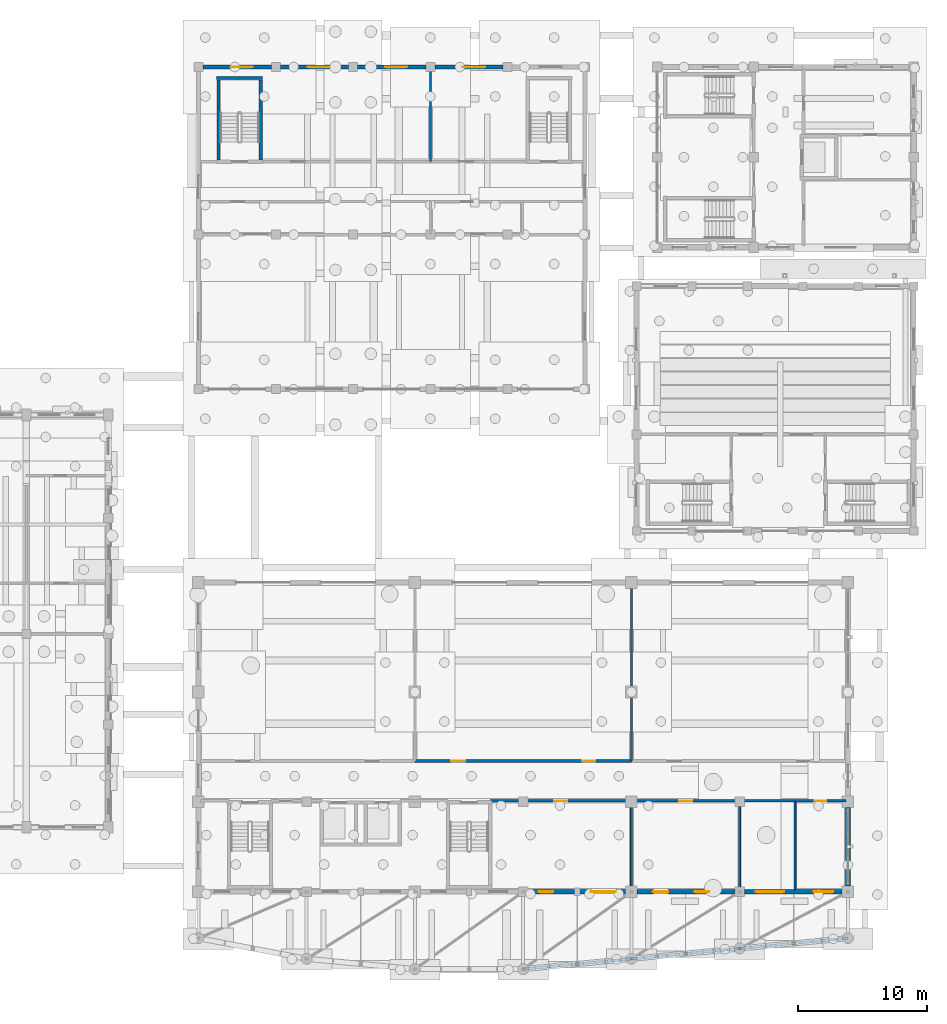
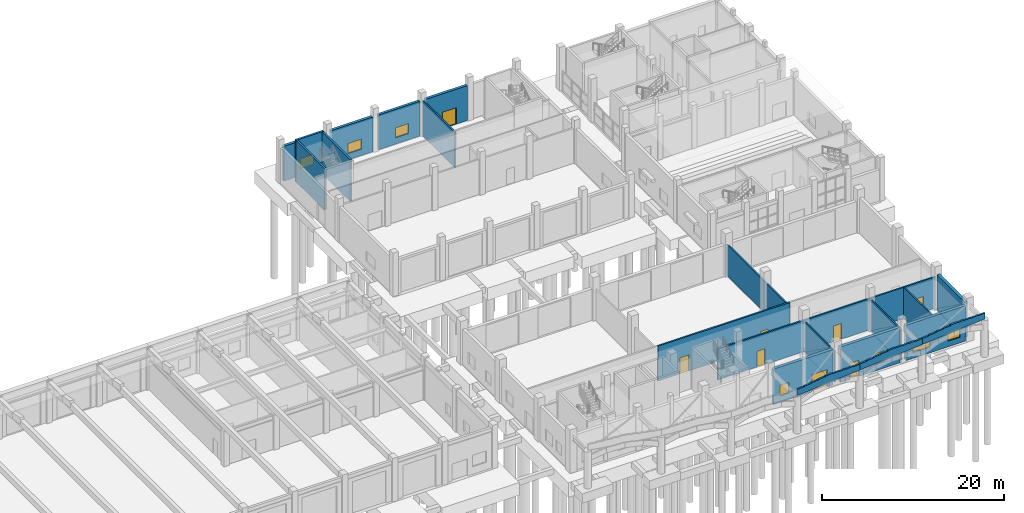
# One storey, part 41 of 60: 24 walls, 8 doors, 7 windows, 15 openings.
"""IFC4 building model written with IfcOpenShell, lengths in metres."""

from ifc_helpers import new_model, si_unit, direction, frame, frame_2d, origin, place, context, subcontext, project, spatial, polyline, rectangle, outline, extrude, material, layer, layer_set, type_object, element, fill, save


model = new_model("IFC4")

# Units and contexts
model_context = context("Model", 3, precision=1e-05, world=origin(), true_north=direction((0.0, 1.0)))
body_context = subcontext(model_context, "Body", "Model", "MODEL_VIEW")
ifc_project = project(units=[si_unit("LENGTHUNIT", "METRE"), si_unit("AREAUNIT", "SQUARE_METRE"), si_unit("VOLUMEUNIT", "CUBIC_METRE"), si_unit("PLANEANGLEUNIT", "RADIAN"), si_unit("MASSUNIT", "GRAM", prefix="KILO")], contexts=[model_context])

# Site, building, storey
site_placement = place(None, origin())
site = spatial("IfcSite", under=ifc_project, at=site_placement, CompositionType="ELEMENT")
building_placement = place(site_placement, origin())
building = spatial("IfcBuilding", under=site, at=building_placement, Name="Trellovar Central Fire Station", CompositionType="ELEMENT")
storey_placement = place(building_placement, origin())
storey = spatial("IfcBuildingStorey", under=building, at=storey_placement, Name="L01", CompositionType="ELEMENT", Elevation=0.0)

# Wall, openings, door, window
ifc_material_1 = material(Name="Catalan polychrome brickwork with insulated cavity", Category="masonry")
ifc_layer_1 = layer(ifc_material_1, 0.3798828125)
ifc_layer_set_1 = layer_set([ifc_layer_1], Name="Catalan polychrome brickwork with insulated cavity")
wall_type_1 = type_object("IfcWallType", Name="EW-2", PredefinedType="STANDARD", material=ifc_layer_set_1)
wall_1_placement = place(storey_placement, frame((131.074951171875, 9.0, 0.0), z_axis=(0.0, 0.0, 1.0), x_axis=(1.0, 0.0, 0.0)))
wall_1 = element("IfcWall", 1, at=wall_1_placement, inside=storey, type_object=wall_type_1, Name="V5 L01 south wall 4", PredefinedType="STANDARD", context=body_context, shape_type="SweptSolid", body=[
    extrude(rectangle(XDim=7.574951171875, YDim=0.3798828125, at=frame_2d((3.78759765625, 0.0))), origin(), (0.0, 0.0, 1.0), 4.75),
])
opening_1_placement = place(wall_1_placement, frame((4.875, 0.0, 0.0)))
opening_1 = element("IfcOpeningElement", 2, at=opening_1_placement, cuts=wall_1, Name="Opening EX-1", PredefinedType="OPENING", context=body_context, shape_type="SweptSolid", body=[
    extrude(rectangle(XDim=1.949951171875, YDim=2.300048828125, at=frame_2d((0.97509765625, 1.14990234375))), frame((0.0, 0.199951171875, 0.0), z_axis=(0.0, -1.0, 0.0), x_axis=(1.0, 0.0, 0.0)), (0.0, 0.0, 1.0), 0.39990234375),
])
opening_2_placement = place(wall_1_placement, frame((0.824951171875, 0.0, 0.85009765625)))
opening_2 = element("IfcOpeningElement", 3, at=opening_2_placement, cuts=wall_1, Name="Opening W-01", PredefinedType="OPENING", context=body_context, shape_type="SweptSolid", body=[
    extrude(rectangle(XDim=1.14990234375, YDim=1.449951171875, at=frame_2d((0.574951171875, 0.72509765625))), frame((0.0, 0.199951171875, 0.0), z_axis=(0.0, -1.0, 0.0), x_axis=(1.0, 0.0, 0.0)), (0.0, 0.0, 1.0), 0.39990234375),
])
ifc_material_2 = material(Name="Thermally broken bronze anodized aluminum", Category="aluminium")
door_type_1 = type_object("IfcDoorType", Name="DR-EXT1", OperationType="DOUBLE_DOOR_SINGLE_SWING", PredefinedType="DOOR", material=ifc_material_2)
door_1_placement = place(opening_1_placement, frame((1.949951171875, 0.0, 0.0), z_axis=(0.0, 0.0, 1.0), x_axis=(-1.0, 0.0, 0.0)))
door_1 = element("IfcDoor", 4, at=door_1_placement, inside=storey, type_object=door_type_1, Name="Civic HQ south boulevard reception entrance", OperationType="DOUBLE_DOOR_SINGLE_SWING", OverallHeight=2.300048828125, OverallWidth=1.949951171875, PredefinedType="DOOR", context=body_context, shape_type="SweptSolid", body=[
    extrude(rectangle(XDim=1.949951171875, YDim=2.300048828125, at=frame_2d((0.97509765625, 1.14990234375))), frame((0.0, 0.02490234375, 0.0), z_axis=(0.0, -1.0, 0.0), x_axis=(1.0, 0.0, 0.0)), (0.0, 0.0, 1.0), 0.050048828125),
])
fill(opening_1, door_1)
ifc_material_3 = material(Name="Thermally broken bronze anodized aluminum", Category="aluminium")
window_type_1 = type_object("IfcWindowType", Name="WIN-01", PartitioningType="SINGLE_PANEL", PredefinedType="WINDOW", material=ifc_material_3)
window_1_placement = place(opening_2_placement, origin())
window_1 = element("IfcWindow", 5, at=window_1_placement, inside=storey, type_object=window_type_1, Name="L01 window W-01", OverallHeight=1.449951171875, OverallWidth=1.14990234375, PartitioningType="SINGLE_PANEL", PredefinedType="WINDOW", context=body_context, shape_type="SweptSolid", body=[
    extrude(rectangle(XDim=1.14990234375, YDim=1.449951171875, at=frame_2d((0.574951171875, 0.72509765625))), frame((0.0, 0.030029296875, 0.0), z_axis=(0.0, -1.0, 0.0), x_axis=(1.0, 0.0, 0.0)), (0.0, 0.0, 1.0), 0.06005859375),
])
fill(opening_2, window_1)

wall_2_placement = place(storey_placement, frame((139.550048828125, 9.0, 0.0), z_axis=(0.0, 0.0, 1.0), x_axis=(1.0, 0.0, 0.0)))
wall_2 = element("IfcWall", 6, at=wall_2_placement, inside=storey, type_object=wall_type_1, Name="V5 L01 south wall 5", PredefinedType="STANDARD", context=body_context, shape_type="SweptSolid", body=[
    extrude(rectangle(XDim=7.574951171875, YDim=0.3798828125, at=frame_2d((3.78759765625, 0.0))), origin(), (0.0, 0.0, 1.0), 4.75),
])
opening_3_placement = place(wall_2_placement, frame((1.25, 0.0, 0.0)))
opening_3 = element("IfcOpeningElement", 7, at=opening_3_placement, cuts=wall_2, Name="Opening EX-5", PredefinedType="OPENING", context=body_context, shape_type="SweptSolid", body=[
    extrude(rectangle(XDim=1.14990234375, YDim=2.14990234375, at=frame_2d((0.574951171875, 1.074951171875))), frame((0.0, 0.199951171875, 0.0), z_axis=(0.0, -1.0, 0.0), x_axis=(1.0, 0.0, 0.0)), (0.0, 0.0, 1.0), 0.39990234375),
])
opening_4_placement = place(wall_2_placement, frame((4.449951171875, 0.0, 0.85009765625)))
opening_4 = element("IfcOpeningElement", 8, at=opening_4_placement, cuts=wall_2, Name="Opening W-01", PredefinedType="OPENING", context=body_context, shape_type="SweptSolid", body=[
    extrude(rectangle(XDim=1.14990234375, YDim=1.449951171875, at=frame_2d((0.574951171875, 0.72509765625))), frame((0.0, 0.199951171875, 0.0), z_axis=(0.0, -1.0, 0.0), x_axis=(1.0, 0.0, 0.0)), (0.0, 0.0, 1.0), 0.39990234375),
])
ifc_material_4 = material(Name="Thermally broken bronze anodized aluminum", Category="aluminium")
door_type_2 = type_object("IfcDoorType", Name="DR-EXT5", OperationType="SINGLE_SWING_RIGHT", PredefinedType="DOOR", material=ifc_material_4)
door_2_placement = place(opening_3_placement, frame((1.14990234375, 0.0, 0.0), z_axis=(0.0, 0.0, 1.0), x_axis=(-1.0, 0.0, 0.0)))
door_2 = element("IfcDoor", 9, at=door_2_placement, inside=storey, type_object=door_type_2, Name="Civic HQ south east entrance", OperationType="SINGLE_SWING_RIGHT", OverallHeight=2.14990234375, OverallWidth=1.14990234375, PredefinedType="DOOR", context=body_context, shape_type="SweptSolid", body=[
    extrude(rectangle(XDim=1.14990234375, YDim=2.14990234375, at=frame_2d((0.574951171875, 1.074951171875))), frame((0.0, 0.02490234375, 0.0), z_axis=(0.0, -1.0, 0.0), x_axis=(1.0, 0.0, 0.0)), (0.0, 0.0, 1.0), 0.050048828125),
])
fill(opening_3, door_2)
window_2_placement = place(opening_4_placement, origin())
window_2 = element("IfcWindow", 10, at=window_2_placement, inside=storey, type_object=window_type_1, Name="L01 window W-01", OverallHeight=1.449951171875, OverallWidth=1.14990234375, PartitioningType="SINGLE_PANEL", PredefinedType="WINDOW", context=body_context, shape_type="SweptSolid", body=[
    extrude(rectangle(XDim=1.14990234375, YDim=1.449951171875, at=frame_2d((0.574951171875, 0.72509765625))), frame((0.0, 0.030029296875, 0.0), z_axis=(0.0, -1.0, 0.0), x_axis=(1.0, 0.0, 0.0)), (0.0, 0.0, 1.0), 0.06005859375),
])
fill(opening_4, window_2)

# Wall, openings, windows
wall_3_placement = place(storey_placement, frame((147.875, 9.0, 0.0), z_axis=(0.0, 0.0, 1.0), x_axis=(1.0, 0.0, 0.0)))
wall_3 = element("IfcWall", 11, at=wall_3_placement, inside=storey, type_object=wall_type_1, Name="V5 L01 south wall 6", PredefinedType="STANDARD", context=body_context, shape_type="SweptSolid", body=[
    extrude(rectangle(XDim=7.574951171875, YDim=0.3798828125, at=frame_2d((3.78759765625, 0.0))), origin(), (0.0, 0.0, 1.0), 4.75),
])
opening_5_placement = place(wall_3_placement, frame((0.875, 0.0, 0.75)))
opening_5 = element("IfcOpeningElement", 12, at=opening_5_placement, cuts=wall_3, Name="Opening W-06", PredefinedType="OPENING", context=body_context, shape_type="SweptSolid", body=[
    extrude(rectangle(XDim=2.199951171875, YDim=1.449951171875, at=frame_2d((1.10009765625, 0.72509765625))), frame((0.0, 0.199951171875, 0.0), z_axis=(0.0, -1.0, 0.0), x_axis=(1.0, 0.0, 0.0)), (0.0, 0.0, 1.0), 0.39990234375),
])
opening_6_placement = place(wall_3_placement, frame((5.375, 0.0, 0.75)))
opening_6 = element("IfcOpeningElement", 13, at=opening_6_placement, cuts=wall_3, Name="Opening W-18", PredefinedType="OPENING", context=body_context, shape_type="SweptSolid", body=[
    extrude(rectangle(XDim=1.5, YDim=1.39990234375, at=frame_2d((0.75, 0.699951171875))), frame((0.0, 0.199951171875, 0.0), z_axis=(0.0, -1.0, 0.0), x_axis=(1.0, 0.0, 0.0)), (0.0, 0.0, 1.0), 0.39990234375),
])
ifc_material_5 = material(Name="Thermally broken bronze anodized aluminum", Category="aluminium")
window_type_2 = type_object("IfcWindowType", Name="WIN-06", PartitioningType="TRIPLE_PANEL_VERTICAL", PredefinedType="WINDOW", material=ifc_material_5)
window_3_placement = place(opening_5_placement, origin())
window_3 = element("IfcWindow", 14, at=window_3_placement, inside=storey, type_object=window_type_2, Name="L01 window W-06", OverallHeight=1.449951171875, OverallWidth=2.199951171875, PartitioningType="TRIPLE_PANEL_VERTICAL", PredefinedType="WINDOW", context=body_context, shape_type="SweptSolid", body=[
    extrude(rectangle(XDim=2.199951171875, YDim=1.449951171875, at=frame_2d((1.10009765625, 0.72509765625))), frame((0.0, 0.030029296875, 0.0), z_axis=(0.0, -1.0, 0.0), x_axis=(1.0, 0.0, 0.0)), (0.0, 0.0, 1.0), 0.06005859375),
])
fill(opening_5, window_3)
ifc_material_6 = material(Name="Thermally broken bronze anodized aluminum", Category="aluminium")
window_type_3 = type_object("IfcWindowType", Name="WIN-18", PartitioningType="DOUBLE_PANEL_VERTICAL", PredefinedType="WINDOW", material=ifc_material_6)
window_4_placement = place(opening_6_placement, origin())
window_4 = element("IfcWindow", 15, at=window_4_placement, inside=storey, type_object=window_type_3, Name="L01 window W-18", OverallHeight=1.39990234375, OverallWidth=1.5, PartitioningType="DOUBLE_PANEL_VERTICAL", PredefinedType="WINDOW", context=body_context, shape_type="SweptSolid", body=[
    extrude(rectangle(XDim=1.5, YDim=1.39990234375, at=frame_2d((0.75, 0.699951171875))), frame((0.0, 0.030029296875, 0.0), z_axis=(0.0, -1.0, 0.0), x_axis=(1.0, 0.0, 0.0)), (0.0, 0.0, 1.0), 0.06005859375),
])
fill(opening_6, window_4)

# Wall
wall_4_placement = place(storey_placement, frame((155.89990234375, 9.449951171875, 0.0), z_axis=(0.0, 0.0, 1.0), x_axis=(0.0, 1.0, 0.0)))
element("IfcWall", 16, at=wall_4_placement, inside=storey, type_object=wall_type_1, Name="V5 L01 east stepback wall", PredefinedType="STANDARD", context=body_context, shape_type="SweptSolid", body=[
    extrude(rectangle(XDim=6.10009765625, YDim=0.3798828125, at=frame_2d((3.050048828125, 0.0))), origin(), (0.0, 0.0, 1.0), 4.75),
])

# Wall, opening, window
ifc_material_7 = material(Name="Textured desert sandstone masonry", Category="masonry")
ifc_layer_2 = layer(ifc_material_7, 0.340087890625)
ifc_layer_set_2 = layer_set([ifc_layer_2], Name="Textured desert sandstone masonry")
wall_type_2 = type_object("IfcWallType", Name="EW-3", PredefinedType="STANDARD", material=ifc_layer_set_2)
wall_5_placement = place(storey_placement, frame((111.14990234375, 73.0, 0.0), z_axis=(0.0, 0.0, 1.0), x_axis=(-1.0, 0.0, 0.0)))
wall_5 = element("IfcWall", 17, at=wall_5_placement, inside=storey, type_object=wall_type_2, Name="V6 L01 north wall 1", PredefinedType="STANDARD", context=body_context, shape_type="SweptSolid", body=[
    extrude(rectangle(XDim=5.2998046875, YDim=0.340087890625, at=frame_2d((2.64990234375, 0.0))), origin(), (0.0, 0.0, 1.0), 4.677978515625),
])
opening_7_placement = place(wall_5_placement, frame((1.449951171875, 0.0, 0.85009765625)))
opening_7 = element("IfcOpeningElement", 18, at=opening_7_placement, cuts=wall_5, Name="Opening W-19", PredefinedType="OPENING", context=body_context, shape_type="SweptSolid", body=[
    extrude(rectangle(XDim=1.699951171875, YDim=1.35009765625, at=frame_2d((0.85009765625, 0.675048828125))), frame((0.0, 0.179931640625, 0.0), z_axis=(0.0, -1.0, 0.0), x_axis=(1.0, 0.0, 0.0)), (0.0, 0.0, 1.0), 0.360107421875),
])
ifc_material_8 = material(Name="Thermally broken bronze anodized aluminum", Category="aluminium")
window_type_4 = type_object("IfcWindowType", Name="WIN-19", PartitioningType="DOUBLE_PANEL_HORIZONTAL", PredefinedType="WINDOW", material=ifc_material_8)
window_5_placement = place(opening_7_placement, origin())
window_5 = element("IfcWindow", 19, at=window_5_placement, inside=storey, type_object=window_type_4, Name="L01 window W-19", OverallHeight=1.35009765625, OverallWidth=1.699951171875, PartitioningType="DOUBLE_PANEL_HORIZONTAL", PredefinedType="WINDOW", context=body_context, shape_type="SweptSolid", body=[
    extrude(rectangle(XDim=1.699951171875, YDim=1.35009765625, at=frame_2d((0.85009765625, 0.675048828125))), frame((0.0, 0.030029296875, 0.0), z_axis=(0.0, -1.0, 0.0), x_axis=(1.0, 0.0, 0.0)), (0.0, 0.0, 1.0), 0.06005859375),
])
fill(opening_7, window_5)

wall_6_placement = place(storey_placement, frame((117.14990234375, 73.0, 0.0), z_axis=(0.0, 0.0, 1.0), x_axis=(-1.0, 0.0, 0.0)))
wall_6 = element("IfcWall", 20, at=wall_6_placement, inside=storey, type_object=wall_type_2, Name="V6 L01 north wall 2", PredefinedType="STANDARD", context=body_context, shape_type="SweptSolid", body=[
    extrude(rectangle(XDim=5.2998046875, YDim=0.340087890625, at=frame_2d((2.64990234375, 0.0))), origin(), (0.0, 0.0, 1.0), 4.677978515625),
])
opening_8_placement = place(wall_6_placement, frame((1.449951171875, 0.0, 0.85009765625)))
opening_8 = element("IfcOpeningElement", 21, at=opening_8_placement, cuts=wall_6, Name="Opening W-19", PredefinedType="OPENING", context=body_context, shape_type="SweptSolid", body=[
    extrude(rectangle(XDim=1.699951171875, YDim=1.35009765625, at=frame_2d((0.85009765625, 0.675048828125))), frame((0.0, 0.179931640625, 0.0), z_axis=(0.0, -1.0, 0.0), x_axis=(1.0, 0.0, 0.0)), (0.0, 0.0, 1.0), 0.360107421875),
])
window_6_placement = place(opening_8_placement, origin())
window_6 = element("IfcWindow", 22, at=window_6_placement, inside=storey, type_object=window_type_4, Name="L01 window W-19", OverallHeight=1.35009765625, OverallWidth=1.699951171875, PartitioningType="DOUBLE_PANEL_HORIZONTAL", PredefinedType="WINDOW", context=body_context, shape_type="SweptSolid", body=[
    extrude(rectangle(XDim=1.699951171875, YDim=1.35009765625, at=frame_2d((0.85009765625, 0.675048828125))), frame((0.0, 0.030029296875, 0.0), z_axis=(0.0, -1.0, 0.0), x_axis=(1.0, 0.0, 0.0)), (0.0, 0.0, 1.0), 0.06005859375),
])
fill(opening_8, window_6)

wall_7_placement = place(storey_placement, frame((123.14990234375, 73.0, 0.0), z_axis=(0.0, 0.0, 1.0), x_axis=(-1.0, 0.0, 0.0)))
wall_7 = element("IfcWall", 23, at=wall_7_placement, inside=storey, type_object=wall_type_2, Name="V6 L01 north wall 3", PredefinedType="STANDARD", context=body_context, shape_type="SweptSolid", body=[
    extrude(rectangle(XDim=5.2998046875, YDim=0.340087890625, at=frame_2d((2.64990234375, 0.0))), origin(), (0.0, 0.0, 1.0), 4.677978515625),
])
opening_9_placement = place(wall_7_placement, frame((1.449951171875, 0.0, 0.85009765625)))
opening_9 = element("IfcOpeningElement", 24, at=opening_9_placement, cuts=wall_7, Name="Opening W-19", PredefinedType="OPENING", context=body_context, shape_type="SweptSolid", body=[
    extrude(rectangle(XDim=1.699951171875, YDim=1.35009765625, at=frame_2d((0.85009765625, 0.675048828125))), frame((0.0, 0.179931640625, 0.0), z_axis=(0.0, -1.0, 0.0), x_axis=(1.0, 0.0, 0.0)), (0.0, 0.0, 1.0), 0.360107421875),
])
window_7_placement = place(opening_9_placement, origin())
window_7 = element("IfcWindow", 25, at=window_7_placement, inside=storey, type_object=window_type_4, Name="L01 window W-19", OverallHeight=1.35009765625, OverallWidth=1.699951171875, PartitioningType="DOUBLE_PANEL_HORIZONTAL", PredefinedType="WINDOW", context=body_context, shape_type="SweptSolid", body=[
    extrude(rectangle(XDim=1.699951171875, YDim=1.35009765625, at=frame_2d((0.85009765625, 0.675048828125))), frame((0.0, 0.030029296875, 0.0), z_axis=(0.0, -1.0, 0.0), x_axis=(1.0, 0.0, 0.0)), (0.0, 0.0, 1.0), 0.06005859375),
])
fill(opening_9, window_7)

# Wall, opening, door
wall_8_placement = place(storey_placement, frame((129.14990234375, 73.0, 0.0), z_axis=(0.0, 0.0, 1.0), x_axis=(-1.0, 0.0, 0.0)))
wall_8 = element("IfcWall", 26, at=wall_8_placement, inside=storey, type_object=wall_type_2, Name="V6 L01 north wall 4", PredefinedType="STANDARD", context=body_context, shape_type="SweptSolid", body=[
    extrude(rectangle(XDim=5.2998046875, YDim=0.340087890625, at=frame_2d((2.64990234375, 0.0))), origin(), (0.0, 0.0, 1.0), 4.677978515625),
])
opening_10_placement = place(wall_8_placement, frame((1.39990234375, 0.0, 0.0)))
opening_10 = element("IfcOpeningElement", 27, at=opening_10_placement, cuts=wall_8, Name="Opening EX-2", PredefinedType="OPENING", context=body_context, shape_type="SweptSolid", body=[
    extrude(rectangle(XDim=1.75, YDim=2.199951171875, at=frame_2d((0.875, 1.10009765625))), frame((0.0, 0.179931640625, 0.0), z_axis=(0.0, -1.0, 0.0), x_axis=(1.0, 0.0, 0.0)), (0.0, 0.0, 1.0), 0.360107421875),
])
ifc_material_9 = material(Name="Hollow galvanized steel with acoustic core", Category="steel")
door_type_3 = type_object("IfcDoorType", Name="DR-EXT2", OperationType="DOUBLE_DOOR_SINGLE_SWING", PredefinedType="DOOR", material=ifc_material_9)
door_3_placement = place(opening_10_placement, frame((1.75, 0.0, 0.0), z_axis=(0.0, 0.0, 1.0), x_axis=(-1.0, 0.0, 0.0)))
door_3 = element("IfcDoor", 28, at=door_3_placement, inside=storey, type_object=door_type_3, Name="Generator plant north service door", OperationType="DOUBLE_DOOR_SINGLE_SWING", OverallHeight=2.199951171875, OverallWidth=1.75, PredefinedType="DOOR", context=body_context, shape_type="SweptSolid", body=[
    extrude(rectangle(XDim=1.75, YDim=2.199951171875, at=frame_2d((0.875, 1.10009765625))), frame((0.0, 0.02490234375, 0.0), z_axis=(0.0, -1.0, 0.0), x_axis=(1.0, 0.0, 0.0)), (0.0, 0.0, 1.0), 0.050048828125),
])
fill(opening_10, door_3)

# Walls
ifc_material_10 = material(Name="Textured desert sandstone masonry", Category="masonry")
ifc_layer_3 = layer(ifc_material_10, 0.2099609375)
ifc_layer_set_3 = layer_set([ifc_layer_3], Name="Textured desert sandstone masonry")
wall_type_3 = type_object("IfcWallType", Name="PAR-3", PredefinedType="PARAPET", material=ifc_layer_set_3)
wall_9_placement = place(storey_placement, frame((130.699951171875, 3.0, 4.949951171875), z_axis=(0.0, 0.0, 1.0), x_axis=(0.995495082479, 0.094813188749, 0.0)))
element("IfcWall", 29, at=wall_9_placement, inside=storey, type_object=wall_type_3, Name="L01 Catalan stepped parapet", PredefinedType="PARAPET", context=body_context, shape_type="SweptSolid", body=[
    extrude(outline(polyline([(0.0, 0.0), (8.438232421875, 0.0), (8.43798828125, 0.800048828125), (7.50146484375, 0.800048828125), (7.50048828125, 0.862548828125), (6.56396484375, 0.862548828125), (6.56298828125, 0.925048828125), (5.626220703125, 0.925048828125), (5.625244140625, 0.987548828125), (4.688720703125, 0.987548828125), (4.687744140625, 1.050048828125), (3.751220703125, 1.050048828125), (3.750244140625, 0.987548828125), (2.813720703125, 0.987548828125), (2.812744140625, 0.925048828125), (1.876220703125, 0.925048828125), (1.875, 0.862548828125), (0.938720703125, 0.862548828125), (0.9375, 0.800048828125), (0.0, 0.800048828125), (0.0, 0.0)])), frame((0.0, 0.10498046875, 0.0), z_axis=(0.0, -1.0, 0.0), x_axis=(1.0, 0.0, 0.0)), (0.0, 0.0, 1.0), 0.2099609375),
])
for number, where, z_axis, x_axis, name in (
    (30, (139.10009765625, 3.800048828125, 4.949951171875), (0.0, 0.0, 1.0), (0.995494822374, 0.094815919692, 0.0), "L01 Catalan stepped parapet"),
    (31, (147.5, 4.60009765625, 4.949951171875), (0.0, 0.0, 1.0), (0.99549755299, 0.094787245934, 0.0), "L01 Catalan stepped parapet"),
):
    element("IfcWall", number, at=place(storey_placement, frame(where, z_axis=z_axis, x_axis=x_axis)), inside=storey, type_object=wall_type_3, Name=name, PredefinedType="PARAPET", context=body_context, shape_type="SweptSolid", body=[
        extrude(outline(polyline([(0.0, 0.0), (8.43798828125, 0.0), (8.43798828125, 0.800048828125), (7.50146484375, 0.800048828125), (7.50048828125, 0.862548828125), (6.56396484375, 0.862548828125), (6.56298828125, 0.925048828125), (5.626220703125, 0.925048828125), (5.625244140625, 0.987548828125), (4.688720703125, 0.987548828125), (4.687744140625, 1.050048828125), (3.751220703125, 1.050048828125), (3.750244140625, 0.987548828125), (2.813720703125, 0.987548828125), (2.812744140625, 0.925048828125), (1.876220703125, 0.925048828125), (1.875, 0.862548828125), (0.938720703125, 0.862548828125), (0.9375, 0.800048828125), (0.0, 0.800048828125), (0.0, 0.0)])), frame((0.0, 0.10498046875, 0.0), z_axis=(0.0, -1.0, 0.0), x_axis=(1.0, 0.0, 0.0)), (0.0, 0.0, 1.0), 0.2099609375),
    ])

# Wall, opening, door
ifc_material_11 = material(Name="Acoustic concrete masonry unit", Category="masonry")
ifc_layer_4 = layer(ifc_material_11, 0.199951171875)
ifc_layer_set_4 = layer_set([ifc_layer_4], Name="Acoustic concrete masonry unit")
wall_type_4 = type_object("IfcWallType", Name="PT-1", PredefinedType="PARTITIONING", material=ifc_layer_set_4)
wall_10_placement = place(storey_placement, frame((128.139892578125, 16.050048828125, 0.0), z_axis=(0.0, 0.0, 1.0), x_axis=(1.0, 0.0, 0.0)))
wall_10 = element("IfcWall", 32, at=wall_10_placement, inside=storey, type_object=wall_type_4, Name="V5 L01 south corridor spine", PredefinedType="PARTITIONING", context=body_context, shape_type="SweptSolid", body=[
    extrude(rectangle(XDim=10.960205078125, YDim=0.199951171875, at=frame_2d((5.47998046875, 0.0))), origin(), (0.0, 0.0, 1.0), 4.18994140625),
])
opening_11_placement = place(wall_10_placement, frame((4.97998046875, 0.0, 0.0)))
opening_11 = element("IfcOpeningElement", 33, at=opening_11_placement, cuts=wall_10, Name="Opening ID-1", PredefinedType="OPENING", context=body_context, shape_type="SweptSolid", body=[
    extrude(rectangle(XDim=1.0, YDim=2.1201171875, at=frame_2d((0.5, 1.06005859375))), frame((0.0, 0.10986328125, 0.0), z_axis=(0.0, -1.0, 0.0), x_axis=(1.0, 0.0, 0.0)), (0.0, 0.0, 1.0), 0.219970703125),
])
ifc_material_12 = material(Name="Solid core acoustic white oak veneer", Category="wood")
door_type_4 = type_object("IfcDoorType", Name="DR-INT1", OperationType="SINGLE_SWING_LEFT", PredefinedType="DOOR", material=ifc_material_12)
door_4_placement = place(opening_11_placement, origin())
door_4 = element("IfcDoor", 34, at=door_4_placement, inside=storey, type_object=door_type_4, Name="V5 L01 south bay door", OperationType="SINGLE_SWING_LEFT", OverallHeight=2.1201171875, OverallWidth=1.0, PredefinedType="DOOR", context=body_context, shape_type="SweptSolid", body=[
    extrude(rectangle(XDim=1.0, YDim=2.1201171875, at=frame_2d((0.5, 1.06005859375))), frame((0.0, 0.02490234375, 0.0), z_axis=(0.0, -1.0, 0.0), x_axis=(1.0, 0.0, 0.0)), (0.0, 0.0, 1.0), 0.050048828125),
])
fill(opening_11, door_4)

wall_11_placement = place(storey_placement, frame((139.10009765625, 16.050048828125, 0.0), z_axis=(0.0, 0.0, 1.0), x_axis=(1.0, 0.0, 0.0)))
wall_11 = element("IfcWall", 35, at=wall_11_placement, inside=storey, type_object=wall_type_4, Name="V5 L01 south corridor spine", PredefinedType="PARTITIONING", context=body_context, shape_type="SweptSolid", body=[
    extrude(rectangle(XDim=8.39990234375, YDim=0.199951171875, at=frame_2d((4.199951171875, 0.0))), origin(), (0.0, 0.0, 1.0), 4.18994140625),
])
opening_12_placement = place(wall_11_placement, frame((3.699951171875, 0.0, 0.0)))
opening_12 = element("IfcOpeningElement", 36, at=opening_12_placement, cuts=wall_11, Name="Opening ID-1", PredefinedType="OPENING", context=body_context, shape_type="SweptSolid", body=[
    extrude(rectangle(XDim=1.0, YDim=2.1201171875, at=frame_2d((0.5, 1.06005859375))), frame((0.0, 0.10986328125, 0.0), z_axis=(0.0, -1.0, 0.0), x_axis=(1.0, 0.0, 0.0)), (0.0, 0.0, 1.0), 0.219970703125),
])
door_5_placement = place(opening_12_placement, origin())
door_5 = element("IfcDoor", 37, at=door_5_placement, inside=storey, type_object=door_type_4, Name="V5 L01 south bay door", OperationType="SINGLE_SWING_RIGHT", OverallHeight=2.1201171875, OverallWidth=1.0, PredefinedType="DOOR", context=body_context, shape_type="SweptSolid", body=[
    extrude(rectangle(XDim=1.0, YDim=2.1201171875, at=frame_2d((0.5, 1.06005859375))), frame((0.0, 0.02490234375, 0.0), z_axis=(0.0, -1.0, 0.0), x_axis=(1.0, 0.0, 0.0)), (0.0, 0.0, 1.0), 0.050048828125),
])
fill(opening_12, door_5)

# Wall
wall_12_placement = place(storey_placement, frame((147.5, 16.050048828125, 0.0), z_axis=(0.0, 0.0, 1.0), x_axis=(1.0, 0.0, 0.0)))
element("IfcWall", 38, at=wall_12_placement, inside=storey, type_object=wall_type_4, Name="V5 L01 south corridor spine", PredefinedType="PARTITIONING", context=body_context, shape_type="SweptSolid", body=[
    extrude(rectangle(XDim=4.300048828125, YDim=0.199951171875, at=frame_2d((2.14990234375, 0.0))), origin(), (0.0, 0.0, 1.0), 4.18994140625),
])

# Wall, opening, door
wall_13_placement = place(storey_placement, frame((151.800048828125, 16.050048828125, 0.0), z_axis=(0.0, 0.0, 1.0), x_axis=(1.0, 0.0, 0.0)))
wall_13 = element("IfcWall", 39, at=wall_13_placement, inside=storey, type_object=wall_type_4, Name="V5 L01 south corridor spine", PredefinedType="PARTITIONING", context=body_context, shape_type="SweptSolid", body=[
    extrude(rectangle(XDim=3.949951171875, YDim=0.199951171875, at=frame_2d((1.97509765625, 0.0))), origin(), (0.0, 0.0, 1.0), 4.18994140625),
])
opening_13_placement = place(wall_13_placement, frame((1.52490234375, 0.0, 0.0)))
opening_13 = element("IfcOpeningElement", 40, at=opening_13_placement, cuts=wall_13, Name="Opening ID-11", PredefinedType="OPENING", context=body_context, shape_type="SweptSolid", body=[
    extrude(rectangle(XDim=0.89990234375, YDim=2.080078125, at=frame_2d((0.449951171875, 1.0400390625))), frame((0.0, 0.10986328125, 0.0), z_axis=(0.0, -1.0, 0.0), x_axis=(1.0, 0.0, 0.0)), (0.0, 0.0, 1.0), 0.219970703125),
])
ifc_material_13 = material(Name="Solid core acoustic white oak veneer", Category="wood")
door_type_5 = type_object("IfcDoorType", Name="DR-INT11", OperationType="SINGLE_SWING_LEFT", PredefinedType="DOOR", material=ifc_material_13)
door_6_placement = place(opening_13_placement, origin())
door_6 = element("IfcDoor", 41, at=door_6_placement, inside=storey, type_object=door_type_5, Name="V5 L01 south bay door", OperationType="SINGLE_SWING_LEFT", OverallHeight=2.080078125, OverallWidth=0.89990234375, PredefinedType="DOOR", context=body_context, shape_type="SweptSolid", body=[
    extrude(rectangle(XDim=0.89990234375, YDim=2.080078125, at=frame_2d((0.449951171875, 1.0400390625))), frame((0.0, 0.02490234375, 0.0), z_axis=(0.0, -1.0, 0.0), x_axis=(1.0, 0.0, 0.0)), (0.0, 0.0, 1.0), 0.050048828125),
])
fill(opening_13, door_6)

# Wall, openings, doors
wall_14_placement = place(storey_placement, frame((122.300048828125, 19.14990234375, 0.0), z_axis=(0.0, 0.0, 1.0), x_axis=(1.0, 0.0, 0.0)))
wall_14 = element("IfcWall", 42, at=wall_14_placement, inside=storey, type_object=wall_type_4, Name="V5 L01 north corridor spine", PredefinedType="PARTITIONING", context=body_context, shape_type="SweptSolid", body=[
    extrude(rectangle(XDim=16.800048828125, YDim=0.199951171875, at=frame_2d((8.39990234375, 0.0))), origin(), (0.0, 0.0, 1.0), 4.699951171875),
])
opening_14_placement = place(wall_14_placement, frame((2.800048828125, 0.0, 0.0)))
opening_14 = element("IfcOpeningElement", 43, at=opening_14_placement, cuts=wall_14, Name="Opening ID-12", PredefinedType="OPENING", context=body_context, shape_type="SweptSolid", body=[
    extrude(rectangle(XDim=1.1201171875, YDim=2.14990234375, at=frame_2d((0.56005859375, 1.074951171875))), frame((0.0, 0.10986328125, 0.0), z_axis=(0.0, -1.0, 0.0), x_axis=(1.0, 0.0, 0.0)), (0.0, 0.0, 1.0), 0.219970703125),
])
opening_15_placement = place(wall_14_placement, frame((13.0, 0.0, 0.0)))
opening_15 = element("IfcOpeningElement", 44, at=opening_15_placement, cuts=wall_14, Name="Opening ID-1", PredefinedType="OPENING", context=body_context, shape_type="SweptSolid", body=[
    extrude(rectangle(XDim=1.0, YDim=2.1201171875, at=frame_2d((0.5, 1.06005859375))), frame((0.0, 0.10986328125, 0.0), z_axis=(0.0, -1.0, 0.0), x_axis=(1.0, 0.0, 0.0)), (0.0, 0.0, 1.0), 0.219970703125),
])
door_7_placement = place(opening_15_placement, origin())
door_7 = element("IfcDoor", 45, at=door_7_placement, inside=storey, type_object=door_type_4, Name="V5 L01 north secondary egress door", OperationType="SINGLE_SWING_LEFT", OverallHeight=2.1201171875, OverallWidth=1.0, PredefinedType="DOOR", context=body_context, shape_type="SweptSolid", body=[
    extrude(rectangle(XDim=1.0, YDim=2.1201171875, at=frame_2d((0.5, 1.06005859375))), frame((0.0, 0.02490234375, 0.0), z_axis=(0.0, -1.0, 0.0), x_axis=(1.0, 0.0, 0.0)), (0.0, 0.0, 1.0), 0.050048828125),
])
fill(opening_15, door_7)
ifc_material_14 = material(Name="Hollow galvanized steel with acoustic core", Category="steel")
door_type_6 = type_object("IfcDoorType", Name="DR-INT12", OperationType="SINGLE_SWING_LEFT", PredefinedType="DOOR", material=ifc_material_14)
door_8_placement = place(opening_14_placement, origin())
door_8 = element("IfcDoor", 46, at=door_8_placement, inside=storey, type_object=door_type_6, Name="V5 L01 north hall door", OperationType="SINGLE_SWING_RIGHT", OverallHeight=2.14990234375, OverallWidth=1.1201171875, PredefinedType="DOOR", context=body_context, shape_type="SweptSolid", body=[
    extrude(rectangle(XDim=1.1201171875, YDim=2.14990234375, at=frame_2d((0.56005859375, 1.074951171875))), frame((0.0, 0.02490234375, 0.0), z_axis=(0.0, -1.0, 0.0), x_axis=(1.0, 0.0, 0.0)), (0.0, 0.0, 1.0), 0.050048828125),
])
fill(opening_14, door_8)

# Walls
ifc_material_15 = material(Name="Acoustic concrete masonry unit", Category="masonry")
ifc_layer_5 = layer(ifc_material_15, 0.179931640625)
ifc_layer_set_5 = layer_set([ifc_layer_5], Name="Acoustic concrete masonry unit")
wall_type_5 = type_object("IfcWallType", Name="PT-5", PredefinedType="PARTITIONING", material=ifc_layer_set_5)
wall_15_placement = place(storey_placement, frame((139.10009765625, 19.14990234375, 0.0), z_axis=(0.0, 0.0, 1.0), x_axis=(0.0, 1.0, 0.0)))
element("IfcWall", 47, at=wall_15_placement, inside=storey, type_object=wall_type_5, Name="V5 L01 north bay divider X=139.1", PredefinedType="PARTITIONING", context=body_context, shape_type="SweptSolid", body=[
    extrude(rectangle(XDim=13.7001953125, YDim=0.179931640625, at=frame_2d((6.85009765625, 0.0))), origin(), (0.0, 0.0, 1.0), 4.18994140625),
])
wall_16_placement = place(storey_placement, frame((123.5, 65.659912109375, 0.0), z_axis=(0.0, 0.0, 1.0), x_axis=(0.0, 1.0, 0.0)))
element("IfcWall", 48, at=wall_16_placement, inside=storey, type_object=wall_type_5, Name="V6 L01 plant divider", PredefinedType="PARTITIONING", context=body_context, shape_type="SweptSolid", body=[
    extrude(rectangle(XDim=7.190185546875, YDim=0.179931640625, at=frame_2d((3.59521484375, 0.0))), origin(), (0.0, 0.0, 1.0), 4.749267578125),
])
ifc_material_16 = material(Name="Fire-rated acoustic gypsum stud partition", Category="gypsum")
ifc_layer_6 = layer(ifc_material_16, 0.14990234375)
ifc_layer_set_6 = layer_set([ifc_layer_6], Name="Fire-rated acoustic gypsum stud partition")
wall_type_6 = type_object("IfcWallType", Name="PT-6", PredefinedType="PARTITIONING", material=ifc_layer_set_6)
for number, where, z_axis, x_axis, name in (
    (49, (139.10009765625, 9.14990234375, 0.0), (0.0, 0.0, 1.0), (0.0, 1.0, 0.0), "V5 L01 south room divider X=139.10"),
    (50, (147.5, 9.14990234375, 0.0), (0.0, 0.0, 1.0), (0.0, 1.0, 0.0), "V5 L01 south room divider X=147.50"),
    (51, (151.800048828125, 9.14990234375, 0.0), (0.0, 0.0, 1.0), (0.0, 1.0, 0.0), "V5 L01 south room divider X=151.80"),
):
    element("IfcWall", number, at=place(storey_placement, frame(where, z_axis=z_axis, x_axis=x_axis)), inside=storey, type_object=wall_type_6, Name=name, PredefinedType="PARTITIONING", context=body_context, shape_type="SweptSolid", body=[
        extrude(rectangle(XDim=6.900146484375, YDim=0.14990234375, at=frame_2d((3.4501953125, 0.0))), origin(), (0.0, 0.0, 1.0), 4.18994140625),
    ])
ifc_material_17 = material(Name="Concrete C40/50", Category="concrete")
ifc_layer_7 = layer(ifc_material_17, 0.25)
ifc_layer_set_7 = layer_set([ifc_layer_7], Name="Concrete C40/50")
wall_type_7 = type_object("IfcWallType", Name="SW-2", PredefinedType="SHEAR", material=ifc_layer_set_7)
wall_17_placement = place(storey_placement, frame((106.919921875, 72.139892578125, 0.0), z_axis=(0.0, 0.0, 1.0), x_axis=(1.0, 0.0, 0.0)))
element("IfcWall", 52, at=wall_17_placement, inside=storey, type_object=wall_type_7, Name="Stair ST-07 L01 rear wall", PredefinedType="SHEAR", context=body_context, shape_type="SweptSolid", body=[
    extrude(rectangle(XDim=3.56005859375, YDim=0.25, at=frame_2d((1.780029296875, 0.0))), origin(), (0.0, 0.0, 1.0), 5.60009765625),
])
for number, where, z_axis, x_axis, name in (
    (53, (110.340087890625, 65.800048828125, 0.0), (0.0, 0.0, 1.0), (0.0, 1.0, 0.0), "Stair ST-07 L01 left wall"),
    (54, (107.06005859375, 72.0, 0.0), (0.0, 0.0, 1.0), (0.0, -1.0, 0.0), "Stair ST-07 L01 right wall"),
):
    element("IfcWall", number, at=place(storey_placement, frame(where, z_axis=z_axis, x_axis=x_axis)), inside=storey, type_object=wall_type_7, Name=name, PredefinedType="SHEAR", context=body_context, shape_type="SweptSolid", body=[
        extrude(rectangle(XDim=6.199951171875, YDim=0.25, at=frame_2d((3.10009765625, 0.0))), origin(), (0.0, 0.0, 1.0), 5.60009765625),
    ])

save(model, "model.ifc")
